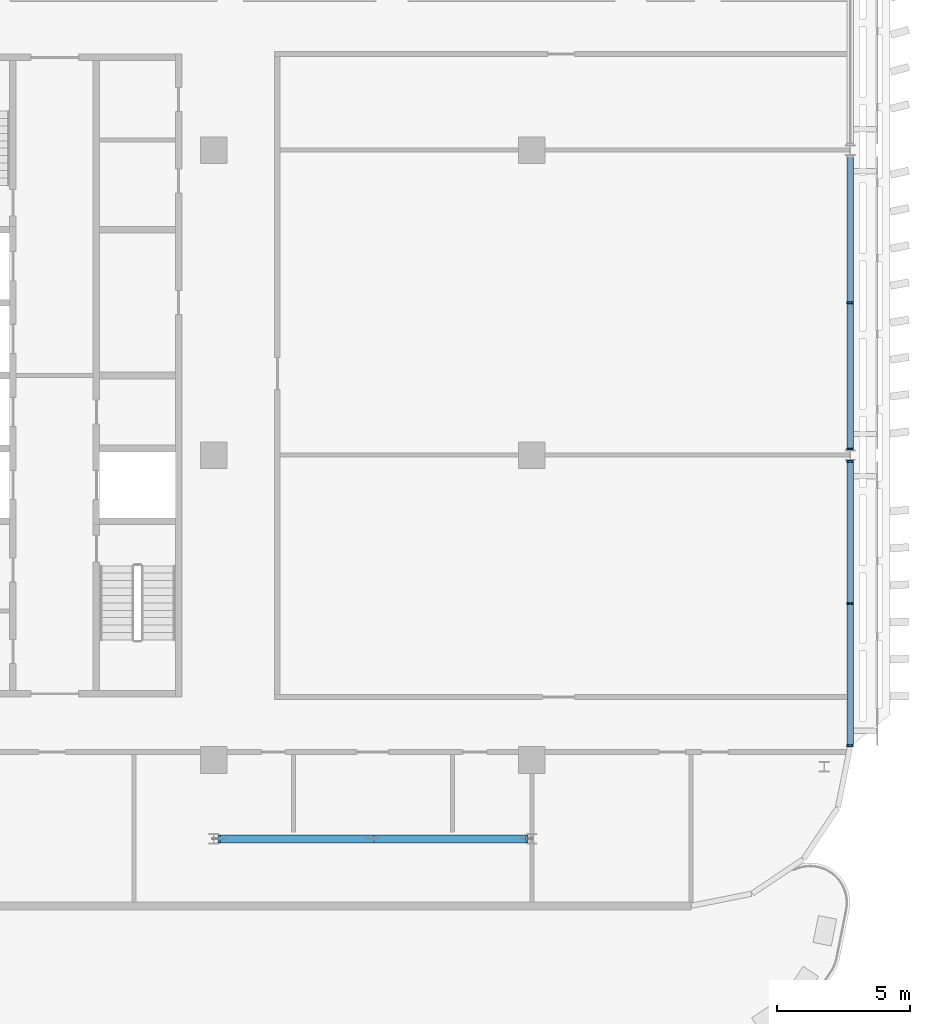
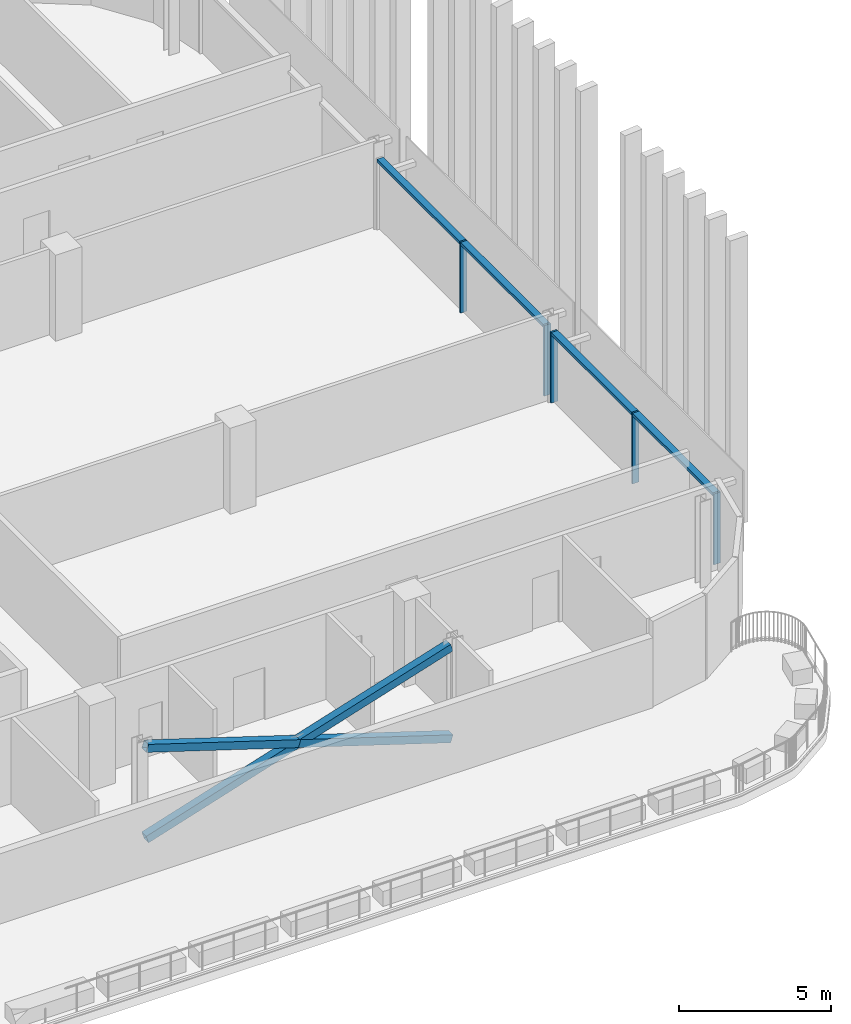
# One storey, part 6 of 30: 12 members, 2 elements without a shape of their own.
"""IFC4 building model written with IfcOpenShell, lengths in metres."""

from ifc_helpers import new_model, si_unit, direction, frame, origin, origin_2d, place, context, subcontext, project, spatial, rectangle, hollow_rectangle, extrude, material, material_profile, profile_set, type_object, element, aggregate, save


model = new_model("IFC4")

# Units and contexts
model_context = context("Model", 3, precision=1e-05, world=origin(), true_north=direction((0.0, 1.0)))
body_context = subcontext(model_context, "Body", "Model", "MODEL_VIEW")
ifc_project = project(units=[si_unit("LENGTHUNIT", "METRE"), si_unit("AREAUNIT", "SQUARE_METRE"), si_unit("VOLUMEUNIT", "CUBIC_METRE"), si_unit("PLANEANGLEUNIT", "RADIAN"), si_unit("MASSUNIT", "GRAM", prefix="KILO")], contexts=[model_context])

# Site, building, storey
site_placement = place(None, origin())
site = spatial("IfcSite", under=ifc_project, at=site_placement, CompositionType="ELEMENT")
building_placement = place(site_placement, origin())
building = spatial("IfcBuilding", under=site, at=building_placement, Name="Mahtab Terrace Research Tower", CompositionType="ELEMENT")
storey_placement = place(building_placement, frame((0.0, 0.0, 228.60009765625)))
storey = spatial("IfcBuildingStorey", under=building, at=storey_placement, Name="L55", CompositionType="ELEMENT", Elevation=228.60009765625)

# Members
ifc_material_1 = material(Name="Steel ASTM A500 Gr C", Category="steel")
ifc_material_profile_1 = material_profile(ifc_material_1, hollow_rectangle(XDim=0.3046875, YDim=0.3046875, WallThickness=0.015869140625, at=origin_2d()), Name="HSS12X12X5/8")
ifc_profile_set_1 = profile_set([ifc_material_profile_1], Name="Steel ASTM A500 Gr C")
member_type_1 = type_object("IfcMemberType", Name="HSS 12x12x5/8 brace XB121258", PredefinedType="BRACE", material=ifc_profile_set_1)
member_1_placement = place(storey_placement, frame((30.199462890625, -14.472900390625, -0.58056640625), z_axis=(0.953338568311, 0.0, 0.301903252998), x_axis=(0.0, 1.0, 0.0)))
element("IfcMember", 1, at=member_1_placement, inside=storey, type_object=member_type_1, Name="Exoskeleton brace L55 18 a", PredefinedType="BRACE", context=body_context, shape_type="SweptSolid", body=[
    extrude(hollow_rectangle(XDim=0.3046875, YDim=0.3046875, WallThickness=0.015869140625, at=origin_2d()), origin(), (0.0, 0.0, 1.0), 12.1689453125),
])
for number, where, z_axis, x_axis, name in (
    (2, (41.800537109375, -14.472900390625, -0.58056640625), (-0.953338568311, 0.0, 0.301903252998), (0.0, -1.0, 0.0), "Exoskeleton brace L55 18 b1"),
    (3, (36.0, -14.472900390625, 1.25634765625), (-0.953338568311, 0.0, 0.301903252998), (0.0, -1.0, 0.0), "Exoskeleton brace L55 18 b2"),
):
    element("IfcMember", number, at=place(storey_placement, frame(where, z_axis=z_axis, x_axis=x_axis)), inside=storey, type_object=member_type_1, Name=name, PredefinedType="BRACE", context=body_context, shape_type="SweptSolid", body=[
        extrude(hollow_rectangle(XDim=0.3046875, YDim=0.3046875, WallThickness=0.015869140625, at=origin_2d()), origin(), (0.0, 0.0, 1.0), 6.08447265625),
    ])

# Curtain wall, members
ifc_material_2 = material(Name="Sky lounge full-height curtain wall")
curtain_wall_type = type_object("IfcCurtainWallType", Name="Sky lounge full-height curtain wall", PredefinedType="NOTDEFINED", material=ifc_material_2)
curtain_wall_1_placement = place(storey_placement, origin())
curtain_wall_1 = element("IfcCurtainWall", 4, at=curtain_wall_1_placement, inside=storey, type_object=curtain_wall_type, Name="EN.L55.18.20", PredefinedType="NOTDEFINED")
ifc_material_3 = material(Name="Natural anodised aluminium", Category="aluminium")
ifc_material_profile_2 = material_profile(ifc_material_3, rectangle(XDim=0.25, YDim=0.070068359375, at=origin_2d()), Name="MULLION 70x250")
ifc_profile_set_2 = profile_set([ifc_material_profile_2], Name="Natural anodised aluminium")
member_type_2 = type_object("IfcMemberType", Name="Sky lounge full-height curtain wall mullion", PredefinedType="MULLION", material=ifc_profile_set_2)
member_2_placement = place(storey_placement, frame((54.0, -10.965087890625, 0.0), z_axis=(0.0, 0.0, 1.0), x_axis=(-1.0, 0.0, 0.0)))
member_2 = element("IfcMember", 5, at=member_2_placement, type_object=member_type_2, Name="CWS-7 mullion 1", PredefinedType="MULLION", context=body_context, shape_type="SweptSolid", body=[
    extrude(rectangle(XDim=0.25, YDim=0.070068359375, at=origin_2d()), origin(), (0.0, 0.0, 1.0), 2.852783203125),
])
member_3_placement = place(storey_placement, frame((54.0, -5.596435546875, 0.0), z_axis=(0.0, 0.0, 1.0), x_axis=(-1.0, 0.0, 0.0)))
member_3 = element("IfcMember", 6, at=member_3_placement, type_object=member_type_2, Name="CWS-7 mullion 2", PredefinedType="MULLION", context=body_context, shape_type="SweptSolid", body=[
    extrude(rectangle(XDim=0.25, YDim=0.070068359375, at=origin_2d()), origin(), (0.0, 0.0, 1.0), 2.852783203125),
])
member_4_placement = place(storey_placement, frame((54.0, -0.22802734375, 0.0), z_axis=(0.0, 0.0, 1.0), x_axis=(-1.0, 0.0, 0.0)))
member_4 = element("IfcMember", 7, at=member_4_placement, type_object=member_type_2, Name="CWS-7 mullion 3", PredefinedType="MULLION", context=body_context, shape_type="SweptSolid", body=[
    extrude(rectangle(XDim=0.25, YDim=0.070068359375, at=origin_2d()), origin(), (0.0, 0.0, 1.0), 2.852783203125),
])

curtain_wall_2_placement = place(storey_placement, origin())
curtain_wall_2 = element("IfcCurtainWall", 8, at=curtain_wall_2_placement, inside=storey, type_object=curtain_wall_type, Name="EN.L55.18.21", PredefinedType="NOTDEFINED")
member_5_placement = place(storey_placement, frame((54.0, 0.22802734375, 0.0), z_axis=(0.0, 0.0, 1.0), x_axis=(-1.0, 0.0, 0.0)))
member_5 = element("IfcMember", 9, at=member_5_placement, type_object=member_type_2, Name="CWS-7 mullion 1", PredefinedType="MULLION", context=body_context, shape_type="SweptSolid", body=[
    extrude(rectangle(XDim=0.25, YDim=0.070068359375, at=origin_2d()), origin(), (0.0, 0.0, 1.0), 2.852783203125),
])
member_6_placement = place(storey_placement, frame((54.0, 5.75, 0.0), z_axis=(0.0, 0.0, 1.0), x_axis=(-1.0, 0.0, 0.0)))
member_6 = element("IfcMember", 10, at=member_6_placement, type_object=member_type_2, Name="CWS-7 mullion 2", PredefinedType="MULLION", context=body_context, shape_type="SweptSolid", body=[
    extrude(rectangle(XDim=0.25, YDim=0.070068359375, at=origin_2d()), origin(), (0.0, 0.0, 1.0), 2.852783203125),
])

# Member
ifc_material_profile_3 = material_profile(ifc_material_3, rectangle(XDim=0.25, YDim=0.1201171875, at=origin_2d()), Name="TRANSOM 120x250")
ifc_profile_set_3 = profile_set([ifc_material_profile_3], Name="Natural anodised aluminium")
member_type_3 = type_object("IfcMemberType", Name="Sky lounge full-height curtain wall transom", PredefinedType="USERDEFINED", material=ifc_profile_set_3)
member_7_placement = place(storey_placement, frame((54.0, -10.929931640625, 2.792724609375), z_axis=(0.0, 1.0, 0.0), x_axis=(-1.0, 0.0, 0.0)))
member_7 = element("IfcMember", 11, at=member_7_placement, type_object=member_type_3, Name="CWS-7 transom 1", ObjectType="TRANSOM", PredefinedType="USERDEFINED", context=body_context, shape_type="SweptSolid", body=[
    extrude(rectangle(XDim=0.25, YDim=0.1201171875, at=origin_2d()), origin(), (0.0, 0.0, 1.0), 5.29833984375),
])

member_8_placement = place(storey_placement, frame((54.0, -5.5615234375, 2.792724609375), z_axis=(0.0, 1.0, 0.0), x_axis=(-1.0, 0.0, 0.0)))
member_8 = element("IfcMember", 12, at=member_8_placement, type_object=member_type_3, Name="CWS-7 transom 2", ObjectType="TRANSOM", PredefinedType="USERDEFINED", context=body_context, shape_type="SweptSolid", body=[
    extrude(rectangle(XDim=0.25, YDim=0.1201171875, at=origin_2d()), origin(), (0.0, 0.0, 1.0), 5.298583984375),
])

aggregate(curtain_wall_1, [member_2, member_3, member_4, member_7, member_8])

member_9_placement = place(storey_placement, frame((54.0, 0.262939453125, 2.792724609375), z_axis=(0.0, 1.0, 0.0), x_axis=(-1.0, 0.0, 0.0)))
member_9 = element("IfcMember", 13, at=member_9_placement, type_object=member_type_3, Name="CWS-7 transom 1", ObjectType="TRANSOM", PredefinedType="USERDEFINED", context=body_context, shape_type="SweptSolid", body=[
    extrude(rectangle(XDim=0.25, YDim=0.1201171875, at=origin_2d()), origin(), (0.0, 0.0, 1.0), 5.4521484375),
])

member_10_placement = place(storey_placement, frame((54.0, 5.784912109375, 2.792724609375), z_axis=(0.0, 1.0, 0.0), x_axis=(-1.0, 0.0, 0.0)))
member_10 = element("IfcMember", 14, at=member_10_placement, type_object=member_type_3, Name="CWS-7 transom 2", ObjectType="TRANSOM", PredefinedType="USERDEFINED", context=body_context, shape_type="SweptSolid", body=[
    extrude(rectangle(XDim=0.25, YDim=0.1201171875, at=origin_2d()), origin(), (0.0, 0.0, 1.0), 5.4521484375),
])

aggregate(curtain_wall_2, [member_5, member_6, member_9, member_10])

save(model, "model.ifc")
